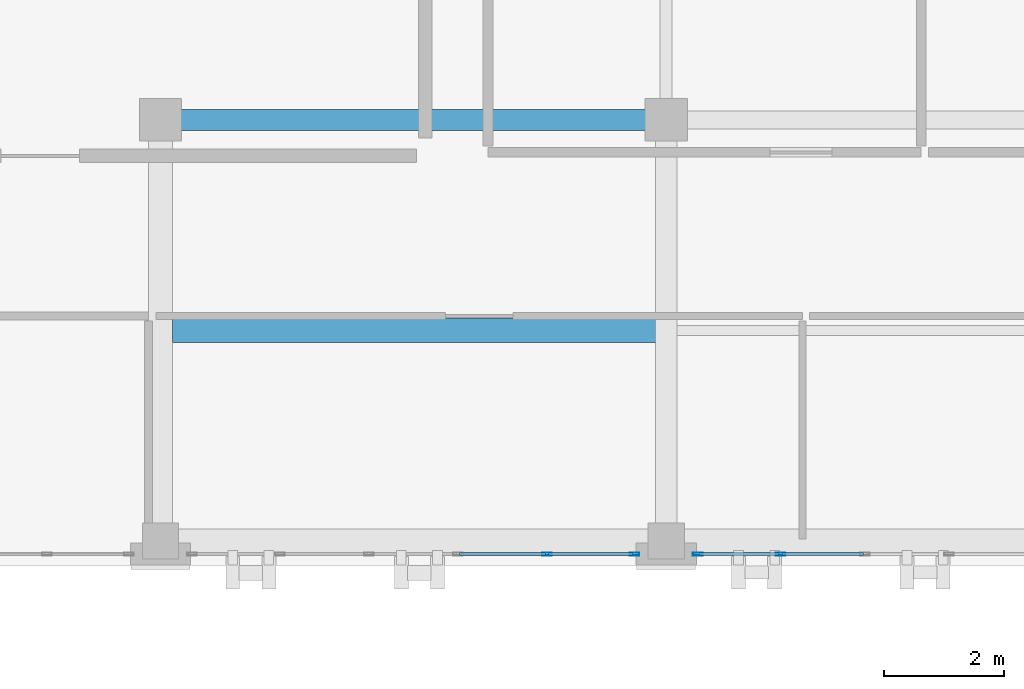
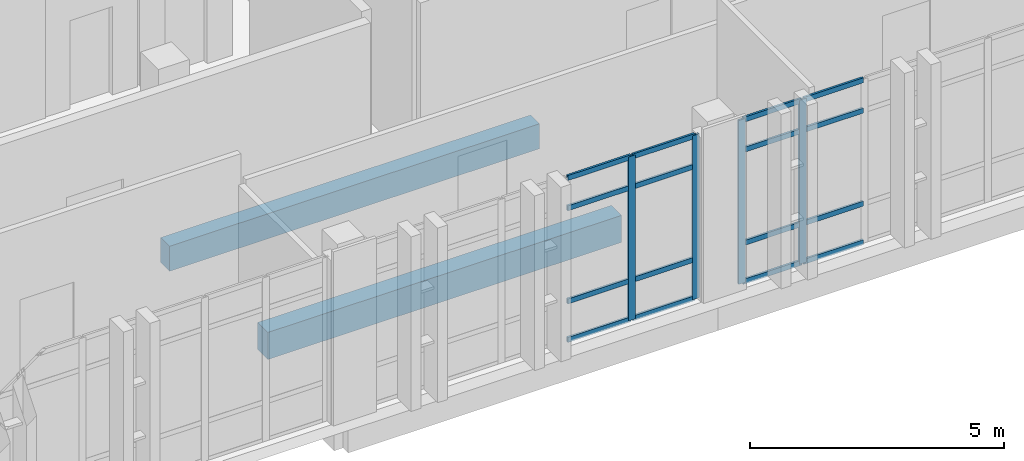
# One storey, part 22 of 77: 20 members, 2 beams, 2 elements without a shape of their own.
"""IFC4 building model written with IfcOpenShell, lengths in metres."""

from ifc_helpers import new_model, si_unit, direction, frame, origin, origin_2d, place, context, subcontext, project, spatial, rectangle, hollow_rectangle, extrude, material, layer, layer_set, material_profile, profile_set, type_object, element, aggregate, save


model = new_model("IFC4")

# Units and contexts
model_context = context("Model", 3, precision=1e-05, world=origin(), true_north=direction((0.0, 1.0)))
body_context = subcontext(model_context, "Body", "Model", "MODEL_VIEW")
ifc_project = project(units=[si_unit("LENGTHUNIT", "METRE"), si_unit("AREAUNIT", "SQUARE_METRE"), si_unit("VOLUMEUNIT", "CUBIC_METRE"), si_unit("PLANEANGLEUNIT", "RADIAN"), si_unit("MASSUNIT", "GRAM", prefix="KILO")], contexts=[model_context])

# Site, building, storey
site_placement = place(None, origin())
site = spatial("IfcSite", under=ifc_project, at=site_placement, CompositionType="ELEMENT")
building_placement = place(site_placement, origin())
building = spatial("IfcBuilding", under=site, at=building_placement, Name="Qalavern Law Courts", CompositionType="ELEMENT")
storey_placement = place(building_placement, frame((0.0, 0.0, 27.0)))
storey = spatial("IfcBuildingStorey", under=building, at=storey_placement, Name="L06", CompositionType="ELEMENT", Elevation=27.0)

# Curtain wall, members
ifc_material_1 = material(Name="Anodised aluminium and insulated glazing", Category="aluminium")
ifc_layer = layer(ifc_material_1, 0.166015625)
ifc_layer_set = layer_set([ifc_layer], Name="Anodised aluminium and insulated glazing")
curtain_wall_type = type_object("IfcCurtainWallType", Name="ENV-CW-LIB", PredefinedType="USERDEFINED", material=ifc_layer_set)
curtain_wall_1_placement = place(storey_placement, origin())
curtain_wall_1 = element("IfcCurtainWall", 1, at=curtain_wall_1_placement, inside=storey, type_object=curtain_wall_type, Name="V5 unitised curtain wall L06 south 2", ObjectType="UNITISED CURTAIN WALL", PredefinedType="USERDEFINED")
ifc_material_2 = material(Name="Anodised aluminium", Category="aluminium")
ifc_material_profile_1 = material_profile(ifc_material_2, hollow_rectangle(XDim=0.048095703125, YDim=0.159912109375, WallThickness=0.00390625, at=origin_2d()), Name="ALU MULLION 48x160")
ifc_profile_set_1 = profile_set([ifc_material_profile_1], Name="Anodised aluminium")
member_type_1 = type_object("IfcMemberType", Name="ENV-CWM-48x160", PredefinedType="MULLION", material=ifc_profile_set_1)
member_1_placement = place(storey_placement, frame((34.820068359375, 96.385009765625, 0.0), z_axis=(0.0, 0.0, 1.0), x_axis=(0.0, 1.0, 0.0)))
member_1 = element("IfcMember", 2, at=member_1_placement, type_object=member_type_1, Name="CW-05 mullion 5", PredefinedType="MULLION", context=body_context, shape_type="SweptSolid", body=[
    extrude(hollow_rectangle(XDim=0.048095703125, YDim=0.159912109375, WallThickness=0.00390625, at=origin_2d()), origin(), (0.0, 0.0, 1.0), 3.93505859375),
])
member_2_placement = place(storey_placement, frame((36.27587890625, 96.385009765625, 0.0), z_axis=(0.0, 0.0, 1.0), x_axis=(0.0, 1.0, 0.0)))
member_2 = element("IfcMember", 3, at=member_2_placement, type_object=member_type_1, Name="CW-05 mullion 6", PredefinedType="MULLION", context=body_context, shape_type="SweptSolid", body=[
    extrude(hollow_rectangle(XDim=0.048095703125, YDim=0.159912109375, WallThickness=0.00390625, at=origin_2d()), origin(), (0.0, 0.0, 1.0), 3.93505859375),
])

curtain_wall_2_placement = place(storey_placement, origin())
curtain_wall_2 = element("IfcCurtainWall", 4, at=curtain_wall_2_placement, inside=storey, type_object=curtain_wall_type, Name="V5 unitised curtain wall L06 south 3", ObjectType="UNITISED CURTAIN WALL", PredefinedType="USERDEFINED")
member_3_placement = place(storey_placement, frame((37.323974609375, 96.385009765625, 0.0), z_axis=(0.0, 0.0, 1.0), x_axis=(0.0, 1.0, 0.0)))
member_3 = element("IfcMember", 5, at=member_3_placement, type_object=member_type_1, Name="CW-05 mullion 1", PredefinedType="MULLION", context=body_context, shape_type="SweptSolid", body=[
    extrude(hollow_rectangle(XDim=0.048095703125, YDim=0.159912109375, WallThickness=0.00390625, at=origin_2d()), origin(), (0.0, 0.0, 1.0), 3.93505859375),
])
member_4_placement = place(storey_placement, frame((38.699951171875, 96.385009765625, 0.0), z_axis=(0.0, 0.0, 1.0), x_axis=(0.0, 1.0, 0.0)))
member_4 = element("IfcMember", 6, at=member_4_placement, type_object=member_type_1, Name="CW-05 mullion 2", PredefinedType="MULLION", context=body_context, shape_type="SweptSolid", body=[
    extrude(hollow_rectangle(XDim=0.048095703125, YDim=0.159912109375, WallThickness=0.00390625, at=origin_2d()), origin(), (0.0, 0.0, 1.0), 3.93505859375),
])

# Member
ifc_material_profile_2 = material_profile(ifc_material_2, hollow_rectangle(XDim=0.048095703125, YDim=0.1201171875, WallThickness=0.00390625, at=origin_2d()), Name="ALU TRANSOM 48x120")
ifc_profile_set_2 = profile_set([ifc_material_profile_2], Name="Anodised aluminium")
member_type_2 = type_object("IfcMemberType", Name="ENV-CWT-48x120", PredefinedType="USERDEFINED", material=ifc_profile_set_2)
member_5_placement = place(storey_placement, frame((33.364013671875, 96.385009765625, 0.02392578125), z_axis=(1.0, 0.0, 0.0), x_axis=(0.0, 1.0, 0.0)))
member_5 = element("IfcMember", 7, at=member_5_placement, type_object=member_type_2, Name="CW-05 transom 4.1", ObjectType="TRANSOM", PredefinedType="USERDEFINED", context=body_context, shape_type="SweptSolid", body=[
    extrude(hollow_rectangle(XDim=0.048095703125, YDim=0.1201171875, WallThickness=0.00390625, at=origin_2d()), origin(), (0.0, 0.0, 1.0), 1.431884765625),
])

member_6_placement = place(storey_placement, frame((33.364013671875, 96.385009765625, 0.949951171875), z_axis=(1.0, 0.0, 0.0), x_axis=(0.0, 1.0, 0.0)))
member_6 = element("IfcMember", 8, at=member_6_placement, type_object=member_type_2, Name="CW-05 transom 4.2", ObjectType="TRANSOM", PredefinedType="USERDEFINED", context=body_context, shape_type="SweptSolid", body=[
    extrude(hollow_rectangle(XDim=0.048095703125, YDim=0.1201171875, WallThickness=0.00390625, at=origin_2d()), origin(), (0.0, 0.0, 1.0), 1.431884765625),
])

member_7_placement = place(storey_placement, frame((33.364013671875, 96.385009765625, 3.18505859375), z_axis=(1.0, 0.0, 0.0), x_axis=(0.0, 1.0, 0.0)))
member_7 = element("IfcMember", 9, at=member_7_placement, type_object=member_type_2, Name="CW-05 transom 4.3", ObjectType="TRANSOM", PredefinedType="USERDEFINED", context=body_context, shape_type="SweptSolid", body=[
    extrude(hollow_rectangle(XDim=0.048095703125, YDim=0.1201171875, WallThickness=0.00390625, at=origin_2d()), origin(), (0.0, 0.0, 1.0), 1.431884765625),
])

member_8_placement = place(storey_placement, frame((33.364013671875, 96.385009765625, 3.910888671875), z_axis=(1.0, 0.0, 0.0), x_axis=(0.0, 1.0, 0.0)))
member_8 = element("IfcMember", 10, at=member_8_placement, type_object=member_type_2, Name="CW-05 transom 4.4", ObjectType="TRANSOM", PredefinedType="USERDEFINED", context=body_context, shape_type="SweptSolid", body=[
    extrude(hollow_rectangle(XDim=0.048095703125, YDim=0.1201171875, WallThickness=0.00390625, at=origin_2d()), origin(), (0.0, 0.0, 1.0), 1.431884765625),
])

member_9_placement = place(storey_placement, frame((34.843994140625, 96.385009765625, 0.02392578125), z_axis=(1.0, 0.0, 0.0), x_axis=(0.0, 1.0, 0.0)))
member_9 = element("IfcMember", 11, at=member_9_placement, type_object=member_type_2, Name="CW-05 transom 5.1", ObjectType="TRANSOM", PredefinedType="USERDEFINED", context=body_context, shape_type="SweptSolid", body=[
    extrude(hollow_rectangle(XDim=0.048095703125, YDim=0.1201171875, WallThickness=0.00390625, at=origin_2d()), origin(), (0.0, 0.0, 1.0), 1.407958984375),
])

member_10_placement = place(storey_placement, frame((34.843994140625, 96.385009765625, 0.949951171875), z_axis=(1.0, 0.0, 0.0), x_axis=(0.0, 1.0, 0.0)))
member_10 = element("IfcMember", 12, at=member_10_placement, type_object=member_type_2, Name="CW-05 transom 5.2", ObjectType="TRANSOM", PredefinedType="USERDEFINED", context=body_context, shape_type="SweptSolid", body=[
    extrude(hollow_rectangle(XDim=0.048095703125, YDim=0.1201171875, WallThickness=0.00390625, at=origin_2d()), origin(), (0.0, 0.0, 1.0), 1.407958984375),
])

member_11_placement = place(storey_placement, frame((34.843994140625, 96.385009765625, 3.18505859375), z_axis=(1.0, 0.0, 0.0), x_axis=(0.0, 1.0, 0.0)))
member_11 = element("IfcMember", 13, at=member_11_placement, type_object=member_type_2, Name="CW-05 transom 5.3", ObjectType="TRANSOM", PredefinedType="USERDEFINED", context=body_context, shape_type="SweptSolid", body=[
    extrude(hollow_rectangle(XDim=0.048095703125, YDim=0.1201171875, WallThickness=0.00390625, at=origin_2d()), origin(), (0.0, 0.0, 1.0), 1.407958984375),
])

member_12_placement = place(storey_placement, frame((34.843994140625, 96.385009765625, 3.910888671875), z_axis=(1.0, 0.0, 0.0), x_axis=(0.0, 1.0, 0.0)))
member_12 = element("IfcMember", 14, at=member_12_placement, type_object=member_type_2, Name="CW-05 transom 5.4", ObjectType="TRANSOM", PredefinedType="USERDEFINED", context=body_context, shape_type="SweptSolid", body=[
    extrude(hollow_rectangle(XDim=0.048095703125, YDim=0.1201171875, WallThickness=0.00390625, at=origin_2d()), origin(), (0.0, 0.0, 1.0), 1.407958984375),
])

aggregate(curtain_wall_1, [member_1, member_2, member_5, member_6, member_7, member_8, member_9, member_10, member_11, member_12])

member_13_placement = place(storey_placement, frame((37.347900390625, 96.385009765625, 0.02392578125), z_axis=(1.0, 0.0, 0.0), x_axis=(0.0, 1.0, 0.0)))
member_13 = element("IfcMember", 15, at=member_13_placement, type_object=member_type_2, Name="CW-05 transom 1.1", ObjectType="TRANSOM", PredefinedType="USERDEFINED", context=body_context, shape_type="SweptSolid", body=[
    extrude(hollow_rectangle(XDim=0.048095703125, YDim=0.1201171875, WallThickness=0.00390625, at=origin_2d()), origin(), (0.0, 0.0, 1.0), 1.328125),
])

member_14_placement = place(storey_placement, frame((37.347900390625, 96.385009765625, 0.949951171875), z_axis=(1.0, 0.0, 0.0), x_axis=(0.0, 1.0, 0.0)))
member_14 = element("IfcMember", 16, at=member_14_placement, type_object=member_type_2, Name="CW-05 transom 1.2", ObjectType="TRANSOM", PredefinedType="USERDEFINED", context=body_context, shape_type="SweptSolid", body=[
    extrude(hollow_rectangle(XDim=0.048095703125, YDim=0.1201171875, WallThickness=0.00390625, at=origin_2d()), origin(), (0.0, 0.0, 1.0), 1.328125),
])

member_15_placement = place(storey_placement, frame((37.347900390625, 96.385009765625, 3.18505859375), z_axis=(1.0, 0.0, 0.0), x_axis=(0.0, 1.0, 0.0)))
member_15 = element("IfcMember", 17, at=member_15_placement, type_object=member_type_2, Name="CW-05 transom 1.3", ObjectType="TRANSOM", PredefinedType="USERDEFINED", context=body_context, shape_type="SweptSolid", body=[
    extrude(hollow_rectangle(XDim=0.048095703125, YDim=0.1201171875, WallThickness=0.00390625, at=origin_2d()), origin(), (0.0, 0.0, 1.0), 1.328125),
])

member_16_placement = place(storey_placement, frame((37.347900390625, 96.385009765625, 3.910888671875), z_axis=(1.0, 0.0, 0.0), x_axis=(0.0, 1.0, 0.0)))
member_16 = element("IfcMember", 18, at=member_16_placement, type_object=member_type_2, Name="CW-05 transom 1.4", ObjectType="TRANSOM", PredefinedType="USERDEFINED", context=body_context, shape_type="SweptSolid", body=[
    extrude(hollow_rectangle(XDim=0.048095703125, YDim=0.1201171875, WallThickness=0.00390625, at=origin_2d()), origin(), (0.0, 0.0, 1.0), 1.328125),
])

member_17_placement = place(storey_placement, frame((38.72412109375, 96.385009765625, 0.02392578125), z_axis=(1.0, 0.0, 0.0), x_axis=(0.0, 1.0, 0.0)))
member_17 = element("IfcMember", 19, at=member_17_placement, type_object=member_type_2, Name="CW-05 transom 2.1", ObjectType="TRANSOM", PredefinedType="USERDEFINED", context=body_context, shape_type="SweptSolid", body=[
    extrude(hollow_rectangle(XDim=0.048095703125, YDim=0.1201171875, WallThickness=0.00390625, at=origin_2d()), origin(), (0.0, 0.0, 1.0), 1.351806640625),
])

member_18_placement = place(storey_placement, frame((38.72412109375, 96.385009765625, 0.949951171875), z_axis=(1.0, 0.0, 0.0), x_axis=(0.0, 1.0, 0.0)))
member_18 = element("IfcMember", 20, at=member_18_placement, type_object=member_type_2, Name="CW-05 transom 2.2", ObjectType="TRANSOM", PredefinedType="USERDEFINED", context=body_context, shape_type="SweptSolid", body=[
    extrude(hollow_rectangle(XDim=0.048095703125, YDim=0.1201171875, WallThickness=0.00390625, at=origin_2d()), origin(), (0.0, 0.0, 1.0), 1.351806640625),
])

member_19_placement = place(storey_placement, frame((38.72412109375, 96.385009765625, 3.18505859375), z_axis=(1.0, 0.0, 0.0), x_axis=(0.0, 1.0, 0.0)))
member_19 = element("IfcMember", 21, at=member_19_placement, type_object=member_type_2, Name="CW-05 transom 2.3", ObjectType="TRANSOM", PredefinedType="USERDEFINED", context=body_context, shape_type="SweptSolid", body=[
    extrude(hollow_rectangle(XDim=0.048095703125, YDim=0.1201171875, WallThickness=0.00390625, at=origin_2d()), origin(), (0.0, 0.0, 1.0), 1.351806640625),
])

member_20_placement = place(storey_placement, frame((38.72412109375, 96.385009765625, 3.910888671875), z_axis=(1.0, 0.0, 0.0), x_axis=(0.0, 1.0, 0.0)))
member_20 = element("IfcMember", 22, at=member_20_placement, type_object=member_type_2, Name="CW-05 transom 2.4", ObjectType="TRANSOM", PredefinedType="USERDEFINED", context=body_context, shape_type="SweptSolid", body=[
    extrude(hollow_rectangle(XDim=0.048095703125, YDim=0.1201171875, WallThickness=0.00390625, at=origin_2d()), origin(), (0.0, 0.0, 1.0), 1.351806640625),
])

aggregate(curtain_wall_2, [member_3, member_4, member_13, member_14, member_15, member_16, member_17, member_18, member_19, member_20])

# Beams
ifc_material_3 = material(Name="Concrete C35/45", Category="concrete")
ifc_material_profile_3 = material_profile(ifc_material_3, rectangle(XDim=0.35009765625, YDim=0.60009765625, at=origin_2d()), Name="RC 350x600")
ifc_profile_set_3 = profile_set([ifc_material_profile_3], Name="Concrete C35/45")
beam_type_1 = type_object("IfcBeamType", Name="STR-BM-RC350x600", PredefinedType="BEAM", material=ifc_profile_set_3)
beam_1_placement = place(storey_placement, frame((28.39990234375, 103.60009765625, -0.570068359375), z_axis=(1.0, 0.0, 0.0), x_axis=(0.0, 1.0, 0.0)))
element("IfcBeam", 23, at=beam_1_placement, inside=storey, type_object=beam_type_1, Name="V5 X-beam 2-1 L06", PredefinedType="BEAM", context=body_context, shape_type="SweptSolid", body=[
    extrude(rectangle(XDim=0.35009765625, YDim=0.60009765625, at=origin_2d()), origin(), (0.0, 0.0, 1.0), 8.400146484375),
])
ifc_material_profile_4 = material_profile(ifc_material_3, rectangle(XDim=0.39990234375, YDim=0.64990234375, at=origin_2d()), Name="RC 400x650")
ifc_profile_set_4 = profile_set([ifc_material_profile_4], Name="Concrete C35/45")
beam_type_2 = type_object("IfcBeamType", Name="STR-JST-RC400x650", PredefinedType="JOIST", material=ifc_profile_set_4)
beam_2_placement = place(storey_placement, frame((28.597900390625, 100.10009765625, -0.594970703125), z_axis=(1.0, 0.0, 0.0), x_axis=(0.0, 1.0, 0.0)))
element("IfcBeam", 24, at=beam_2_placement, inside=storey, type_object=beam_type_2, Name="V5 secondary joist 1.1.1 L06", PredefinedType="JOIST", context=body_context, shape_type="SweptSolid", body=[
    extrude(rectangle(XDim=0.39990234375, YDim=0.64990234375, at=origin_2d()), origin(), (0.0, 0.0, 1.0), 8.029052734375),
])

save(model, "model.ifc")
